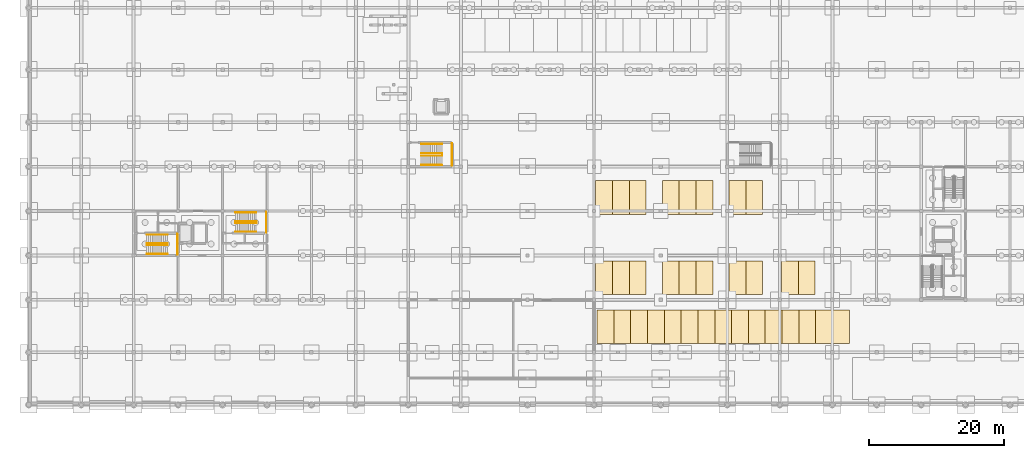
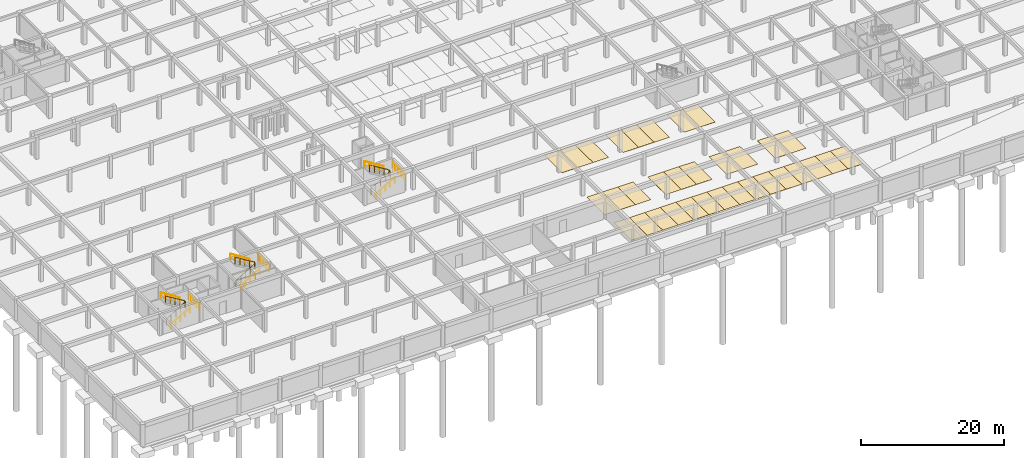
# One storey, part 33 of 37: 33 coverings, 12 railings.
"""IFC4 building model written with IfcOpenShell, lengths in metres."""

from ifc_helpers import new_model, si_unit, direction, frame, origin, origin_2d, place, context, subcontext, project, spatial, polyline, circle, outline, extrude, material, layer, layer_set, type_object, element, save


model = new_model("IFC4")

# Units and contexts
model_context = context("Model", 3, precision=1e-05, world=origin(), true_north=direction((0.0, 1.0)))
body_context = subcontext(model_context, "Body", "Model", "MODEL_VIEW")
ifc_project = project(units=[si_unit("LENGTHUNIT", "METRE"), si_unit("AREAUNIT", "SQUARE_METRE"), si_unit("VOLUMEUNIT", "CUBIC_METRE"), si_unit("PLANEANGLEUNIT", "RADIAN"), si_unit("MASSUNIT", "GRAM", prefix="KILO")], contexts=[model_context])

# Site, building, storey
site_placement = place(None, origin())
site = spatial("IfcSite", under=ifc_project, at=site_placement, CompositionType="ELEMENT")
building_placement = place(site_placement, origin())
building = spatial("IfcBuilding", under=site, at=building_placement, Name="Kernevlak Ridge Housing Community", CompositionType="ELEMENT")
storey_placement = place(building_placement, frame((0.0, 0.0, -3.800048828125)))
storey = spatial("IfcBuildingStorey", under=building, at=storey_placement, Name="B1", CompositionType="ELEMENT", Elevation=-3.800048828125)

# Coverings
ifc_material_1 = material(Name="White road marking paint on concrete", Category="concrete")
ifc_layer = layer(ifc_material_1, 0.010009765625, Name="White road marking paint on concrete")
ifc_layer_set = layer_set([ifc_layer], Name="White road marking paint on concrete")
covering_type = type_object("IfcCoveringType", Name="CV-05", PredefinedType="FLOORING", material=ifc_layer_set)
covering_1_placement = place(storey_placement, origin())
element("IfcCovering", 1, at=covering_1_placement, inside=storey, type_object=covering_type, Name="Parking bay 55", PredefinedType="FLOORING", context=body_context, shape_type="SweptSolid", body=[
    extrude(outline(polyline([(84.4375, 9.10009765625), (86.9375, 9.10009765625), (86.9375, 14.10009765625), (84.4375, 14.10009765625), (84.4375, 9.10009765625)])), origin(), (0.0, 0.0, 1.0), 0.010009765625),
])
covering_2_placement = place(storey_placement, origin())
element("IfcCovering", 2, at=covering_2_placement, inside=storey, type_object=covering_type, Name="Parking bay 56", PredefinedType="FLOORING", context=body_context, shape_type="SweptSolid", body=[
    extrude(outline(polyline([(86.9375, 9.10009765625), (89.4375, 9.10009765625), (89.4375, 14.10009765625), (86.9375, 14.10009765625), (86.9375, 9.10009765625)])), origin(), (0.0, 0.0, 1.0), 0.010009765625),
])
covering_3_placement = place(storey_placement, origin())
element("IfcCovering", 3, at=covering_3_placement, inside=storey, type_object=covering_type, Name="Parking bay 57", PredefinedType="FLOORING", context=body_context, shape_type="SweptSolid", body=[
    extrude(outline(polyline([(89.4375, 9.10009765625), (91.9375, 9.10009765625), (91.9375, 14.10009765625), (89.4375, 14.10009765625), (89.4375, 9.10009765625)])), origin(), (0.0, 0.0, 1.0), 0.010009765625),
])
covering_4_placement = place(storey_placement, origin())
element("IfcCovering", 4, at=covering_4_placement, inside=storey, type_object=covering_type, Name="Parking bay 58", PredefinedType="FLOORING", context=body_context, shape_type="SweptSolid", body=[
    extrude(outline(polyline([(91.9375, 9.10009765625), (94.4375, 9.10009765625), (94.4375, 14.10009765625), (91.9375, 14.10009765625), (91.9375, 9.10009765625)])), origin(), (0.0, 0.0, 1.0), 0.010009765625),
])
covering_5_placement = place(storey_placement, origin())
element("IfcCovering", 5, at=covering_5_placement, inside=storey, type_object=covering_type, Name="Parking bay 59", PredefinedType="FLOORING", context=body_context, shape_type="SweptSolid", body=[
    extrude(outline(polyline([(94.4375, 9.10009765625), (96.9375, 9.10009765625), (96.9375, 14.10009765625), (94.4375, 14.10009765625), (94.4375, 9.10009765625)])), origin(), (0.0, 0.0, 1.0), 0.010009765625),
])
covering_6_placement = place(storey_placement, origin())
element("IfcCovering", 6, at=covering_6_placement, inside=storey, type_object=covering_type, Name="Parking bay 60", PredefinedType="FLOORING", context=body_context, shape_type="SweptSolid", body=[
    extrude(outline(polyline([(96.9375, 9.10009765625), (99.4375, 9.10009765625), (99.4375, 14.10009765625), (96.9375, 14.10009765625), (96.9375, 9.10009765625)])), origin(), (0.0, 0.0, 1.0), 0.010009765625),
])
covering_7_placement = place(storey_placement, origin())
element("IfcCovering", 7, at=covering_7_placement, inside=storey, type_object=covering_type, Name="Parking bay 61", PredefinedType="FLOORING", context=body_context, shape_type="SweptSolid", body=[
    extrude(outline(polyline([(99.4375, 9.10009765625), (101.9375, 9.10009765625), (101.9375, 14.10009765625), (99.4375, 14.10009765625), (99.4375, 9.10009765625)])), origin(), (0.0, 0.0, 1.0), 0.010009765625),
])
covering_8_placement = place(storey_placement, origin())
element("IfcCovering", 8, at=covering_8_placement, inside=storey, type_object=covering_type, Name="Parking bay 62", PredefinedType="FLOORING", context=body_context, shape_type="SweptSolid", body=[
    extrude(outline(polyline([(101.9375, 9.10009765625), (104.4375, 9.10009765625), (104.4375, 14.10009765625), (101.9375, 14.10009765625), (101.9375, 9.10009765625)])), origin(), (0.0, 0.0, 1.0), 0.010009765625),
])
covering_9_placement = place(storey_placement, origin())
element("IfcCovering", 9, at=covering_9_placement, inside=storey, type_object=covering_type, Name="Parking bay 63", PredefinedType="FLOORING", context=body_context, shape_type="SweptSolid", body=[
    extrude(outline(polyline([(104.4375, 9.10009765625), (106.9375, 9.10009765625), (106.9375, 14.10009765625), (104.4375, 14.10009765625), (104.4375, 9.10009765625)])), origin(), (0.0, 0.0, 1.0), 0.010009765625),
])
covering_10_placement = place(storey_placement, origin())
element("IfcCovering", 10, at=covering_10_placement, inside=storey, type_object=covering_type, Name="Parking bay 64", PredefinedType="FLOORING", context=body_context, shape_type="SweptSolid", body=[
    extrude(outline(polyline([(106.9375, 9.10009765625), (109.4375, 9.10009765625), (109.4375, 14.10009765625), (106.9375, 14.10009765625), (106.9375, 9.10009765625)])), origin(), (0.0, 0.0, 1.0), 0.010009765625),
])
covering_11_placement = place(storey_placement, origin())
element("IfcCovering", 11, at=covering_11_placement, inside=storey, type_object=covering_type, Name="Parking bay 65", PredefinedType="FLOORING", context=body_context, shape_type="SweptSolid", body=[
    extrude(outline(polyline([(109.4375, 9.10009765625), (111.9375, 9.10009765625), (111.9375, 14.10009765625), (109.4375, 14.10009765625), (109.4375, 9.10009765625)])), origin(), (0.0, 0.0, 1.0), 0.010009765625),
])
covering_12_placement = place(storey_placement, origin())
element("IfcCovering", 12, at=covering_12_placement, inside=storey, type_object=covering_type, Name="Parking bay 66", PredefinedType="FLOORING", context=body_context, shape_type="SweptSolid", body=[
    extrude(outline(polyline([(111.9375, 9.10009765625), (114.4375, 9.10009765625), (114.4375, 14.10009765625), (111.9375, 14.10009765625), (111.9375, 9.10009765625)])), origin(), (0.0, 0.0, 1.0), 0.010009765625),
])
covering_13_placement = place(storey_placement, origin())
element("IfcCovering", 13, at=covering_13_placement, inside=storey, type_object=covering_type, Name="Parking bay 67", PredefinedType="FLOORING", context=body_context, shape_type="SweptSolid", body=[
    extrude(outline(polyline([(114.4375, 9.10009765625), (116.9375, 9.10009765625), (116.9375, 14.10009765625), (114.4375, 14.10009765625), (114.4375, 9.10009765625)])), origin(), (0.0, 0.0, 1.0), 0.010009765625),
])
covering_14_placement = place(storey_placement, origin())
element("IfcCovering", 14, at=covering_14_placement, inside=storey, type_object=covering_type, Name="Parking bay 68", PredefinedType="FLOORING", context=body_context, shape_type="SweptSolid", body=[
    extrude(outline(polyline([(116.9375, 9.10009765625), (119.4375, 9.10009765625), (119.4375, 14.10009765625), (116.9375, 14.10009765625), (116.9375, 9.10009765625)])), origin(), (0.0, 0.0, 1.0), 0.010009765625),
])
covering_15_placement = place(storey_placement, origin())
element("IfcCovering", 15, at=covering_15_placement, inside=storey, type_object=covering_type, Name="Parking bay 69", PredefinedType="FLOORING", context=body_context, shape_type="SweptSolid", body=[
    extrude(outline(polyline([(119.4375, 9.10009765625), (121.9375, 9.10009765625), (121.9375, 14.10009765625), (119.4375, 14.10009765625), (119.4375, 9.10009765625)])), origin(), (0.0, 0.0, 1.0), 0.010009765625),
])
covering_16_placement = place(storey_placement, origin())
element("IfcCovering", 16, at=covering_16_placement, inside=storey, type_object=covering_type, Name="Parking bay 70", PredefinedType="FLOORING", context=body_context, shape_type="SweptSolid", body=[
    extrude(outline(polyline([(84.25, 16.39990234375), (86.75, 16.39990234375), (86.75, 21.39990234375), (84.25, 21.39990234375), (84.25, 16.39990234375)])), origin(), (0.0, 0.0, 1.0), 0.010009765625),
])
covering_17_placement = place(storey_placement, origin())
element("IfcCovering", 17, at=covering_17_placement, inside=storey, type_object=covering_type, Name="Parking bay 71", PredefinedType="FLOORING", context=body_context, shape_type="SweptSolid", body=[
    extrude(outline(polyline([(86.75, 16.39990234375), (89.25, 16.39990234375), (89.25, 21.39990234375), (86.75, 21.39990234375), (86.75, 16.39990234375)])), origin(), (0.0, 0.0, 1.0), 0.010009765625),
])
covering_18_placement = place(storey_placement, origin())
element("IfcCovering", 18, at=covering_18_placement, inside=storey, type_object=covering_type, Name="Parking bay 72", PredefinedType="FLOORING", context=body_context, shape_type="SweptSolid", body=[
    extrude(outline(polyline([(89.25, 16.39990234375), (91.75, 16.39990234375), (91.75, 21.39990234375), (89.25, 21.39990234375), (89.25, 16.39990234375)])), origin(), (0.0, 0.0, 1.0), 0.010009765625),
])
covering_19_placement = place(storey_placement, origin())
element("IfcCovering", 19, at=covering_19_placement, inside=storey, type_object=covering_type, Name="Parking bay 73", PredefinedType="FLOORING", context=body_context, shape_type="SweptSolid", body=[
    extrude(outline(polyline([(94.14990234375, 16.39990234375), (96.64990234375, 16.39990234375), (96.64990234375, 21.39990234375), (94.14990234375, 21.39990234375), (94.14990234375, 16.39990234375)])), origin(), (0.0, 0.0, 1.0), 0.010009765625),
])
covering_20_placement = place(storey_placement, origin())
element("IfcCovering", 20, at=covering_20_placement, inside=storey, type_object=covering_type, Name="Parking bay 74", PredefinedType="FLOORING", context=body_context, shape_type="SweptSolid", body=[
    extrude(outline(polyline([(96.64990234375, 16.39990234375), (99.14990234375, 16.39990234375), (99.14990234375, 21.39990234375), (96.64990234375, 21.39990234375), (96.64990234375, 16.39990234375)])), origin(), (0.0, 0.0, 1.0), 0.010009765625),
])
covering_21_placement = place(storey_placement, origin())
element("IfcCovering", 21, at=covering_21_placement, inside=storey, type_object=covering_type, Name="Parking bay 75", PredefinedType="FLOORING", context=body_context, shape_type="SweptSolid", body=[
    extrude(outline(polyline([(99.14990234375, 16.39990234375), (101.64990234375, 16.39990234375), (101.64990234375, 21.39990234375), (99.14990234375, 21.39990234375), (99.14990234375, 16.39990234375)])), origin(), (0.0, 0.0, 1.0), 0.010009765625),
])
covering_22_placement = place(storey_placement, origin())
element("IfcCovering", 22, at=covering_22_placement, inside=storey, type_object=covering_type, Name="Parking bay 76", PredefinedType="FLOORING", context=body_context, shape_type="SweptSolid", body=[
    extrude(outline(polyline([(104.050048828125, 16.39990234375), (106.550048828125, 16.39990234375), (106.550048828125, 21.39990234375), (104.050048828125, 21.39990234375), (104.050048828125, 16.39990234375)])), origin(), (0.0, 0.0, 1.0), 0.010009765625),
])
covering_23_placement = place(storey_placement, origin())
element("IfcCovering", 23, at=covering_23_placement, inside=storey, type_object=covering_type, Name="Parking bay 77", PredefinedType="FLOORING", context=body_context, shape_type="SweptSolid", body=[
    extrude(outline(polyline([(106.550048828125, 16.39990234375), (109.050048828125, 16.39990234375), (109.050048828125, 21.39990234375), (106.550048828125, 21.39990234375), (106.550048828125, 16.39990234375)])), origin(), (0.0, 0.0, 1.0), 0.010009765625),
])
covering_24_placement = place(storey_placement, origin())
element("IfcCovering", 24, at=covering_24_placement, inside=storey, type_object=covering_type, Name="Parking bay 78", PredefinedType="FLOORING", context=body_context, shape_type="SweptSolid", body=[
    extrude(outline(polyline([(111.85009765625, 16.39990234375), (114.35009765625, 16.39990234375), (114.35009765625, 21.39990234375), (111.85009765625, 21.39990234375), (111.85009765625, 16.39990234375)])), origin(), (0.0, 0.0, 1.0), 0.010009765625),
])
covering_25_placement = place(storey_placement, origin())
element("IfcCovering", 25, at=covering_25_placement, inside=storey, type_object=covering_type, Name="Parking bay 79", PredefinedType="FLOORING", context=body_context, shape_type="SweptSolid", body=[
    extrude(outline(polyline([(114.35009765625, 16.39990234375), (116.85009765625, 16.39990234375), (116.85009765625, 21.39990234375), (114.35009765625, 21.39990234375), (114.35009765625, 16.39990234375)])), origin(), (0.0, 0.0, 1.0), 0.010009765625),
])
covering_26_placement = place(storey_placement, origin())
element("IfcCovering", 26, at=covering_26_placement, inside=storey, type_object=covering_type, Name="Parking bay 81", PredefinedType="FLOORING", context=body_context, shape_type="SweptSolid", body=[
    extrude(outline(polyline([(84.25, 28.300048828125), (86.75, 28.300048828125), (86.75, 33.300048828125), (84.25, 33.300048828125), (84.25, 28.300048828125)])), origin(), (0.0, 0.0, 1.0), 0.010009765625),
])
covering_27_placement = place(storey_placement, origin())
element("IfcCovering", 27, at=covering_27_placement, inside=storey, type_object=covering_type, Name="Parking bay 82", PredefinedType="FLOORING", context=body_context, shape_type="SweptSolid", body=[
    extrude(outline(polyline([(86.75, 28.300048828125), (89.25, 28.300048828125), (89.25, 33.300048828125), (86.75, 33.300048828125), (86.75, 28.300048828125)])), origin(), (0.0, 0.0, 1.0), 0.010009765625),
])
covering_28_placement = place(storey_placement, origin())
element("IfcCovering", 28, at=covering_28_placement, inside=storey, type_object=covering_type, Name="Parking bay 83", PredefinedType="FLOORING", context=body_context, shape_type="SweptSolid", body=[
    extrude(outline(polyline([(89.25, 28.300048828125), (91.75, 28.300048828125), (91.75, 33.300048828125), (89.25, 33.300048828125), (89.25, 28.300048828125)])), origin(), (0.0, 0.0, 1.0), 0.010009765625),
])
covering_29_placement = place(storey_placement, origin())
element("IfcCovering", 29, at=covering_29_placement, inside=storey, type_object=covering_type, Name="Parking bay 84", PredefinedType="FLOORING", context=body_context, shape_type="SweptSolid", body=[
    extrude(outline(polyline([(94.14990234375, 28.300048828125), (96.64990234375, 28.300048828125), (96.64990234375, 33.300048828125), (94.14990234375, 33.300048828125), (94.14990234375, 28.300048828125)])), origin(), (0.0, 0.0, 1.0), 0.010009765625),
])
covering_30_placement = place(storey_placement, origin())
element("IfcCovering", 30, at=covering_30_placement, inside=storey, type_object=covering_type, Name="Parking bay 85", PredefinedType="FLOORING", context=body_context, shape_type="SweptSolid", body=[
    extrude(outline(polyline([(96.64990234375, 28.300048828125), (99.14990234375, 28.300048828125), (99.14990234375, 33.300048828125), (96.64990234375, 33.300048828125), (96.64990234375, 28.300048828125)])), origin(), (0.0, 0.0, 1.0), 0.010009765625),
])
covering_31_placement = place(storey_placement, origin())
element("IfcCovering", 31, at=covering_31_placement, inside=storey, type_object=covering_type, Name="Parking bay 86", PredefinedType="FLOORING", context=body_context, shape_type="SweptSolid", body=[
    extrude(outline(polyline([(99.14990234375, 28.300048828125), (101.64990234375, 28.300048828125), (101.64990234375, 33.300048828125), (99.14990234375, 33.300048828125), (99.14990234375, 28.300048828125)])), origin(), (0.0, 0.0, 1.0), 0.010009765625),
])
covering_32_placement = place(storey_placement, origin())
element("IfcCovering", 32, at=covering_32_placement, inside=storey, type_object=covering_type, Name="Parking bay 87", PredefinedType="FLOORING", context=body_context, shape_type="SweptSolid", body=[
    extrude(outline(polyline([(104.050048828125, 28.300048828125), (106.550048828125, 28.300048828125), (106.550048828125, 33.300048828125), (104.050048828125, 33.300048828125), (104.050048828125, 28.300048828125)])), origin(), (0.0, 0.0, 1.0), 0.010009765625),
])
covering_33_placement = place(storey_placement, origin())
element("IfcCovering", 33, at=covering_33_placement, inside=storey, type_object=covering_type, Name="Parking bay 88", PredefinedType="FLOORING", context=body_context, shape_type="SweptSolid", body=[
    extrude(outline(polyline([(106.550048828125, 28.300048828125), (109.050048828125, 28.300048828125), (109.050048828125, 33.300048828125), (106.550048828125, 33.300048828125), (106.550048828125, 28.300048828125)])), origin(), (0.0, 0.0, 1.0), 0.010009765625),
])

# Railings
ifc_material_2 = material(Name="Steel S355", Category="steel")
railing_type_1 = type_object("IfcRailingType", Name="GR-02", PredefinedType="GUARDRAIL", material=ifc_material_2)
railing_1_placement = place(storey_placement, frame((17.52001953125, 23.719970703125, 0.0)))
element("IfcRailing", 34, at=railing_1_placement, inside=storey, type_object=railing_type_1, Name="Stair ST-D1 B1 inner well guardrail", PredefinedType="GUARDRAIL", context=body_context, shape_type="SweptSolid", body=[
    extrude(circle(Radius=0.02392578125, at=origin_2d()), frame((0.0, 0.0, 1.09619140625), z_axis=(0.854065598125, 0.0, 0.520165314203), x_axis=(0.0, 1.0, 0.0)), (0.0, 0.0, 1.0), 3.653076171875),
    extrude(circle(Radius=0.02392578125, at=origin_2d()), frame((3.119873046875, 0.0, 2.99609375), z_axis=(0.0, 1.0, 0.0), x_axis=(-1.0, 0.0, 0.0)), (0.0, 0.0, 1.0), 0.260009765625),
    extrude(circle(Radius=0.02392578125, at=origin_2d()), frame((3.119873046875, 0.260009765625, 2.99609375), z_axis=(-0.854095288912, 0.0, 0.520116561415), x_axis=(0.0, -1.0, 0.0)), (0.0, 0.0, 1.0), 3.65283203125),
    extrude(circle(Radius=0.02099609375, at=origin_2d()), origin(), (0.0, 0.0, 1.0), 1.072021484375),
    extrude(circle(Radius=0.02099609375, at=origin_2d()), frame((0.780029296875, 0.0, 0.47509765625)), (0.0, 0.0, 1.0), 1.072021484375),
    extrude(circle(Radius=0.02099609375, at=origin_2d()), frame((1.56005859375, 0.0, 0.9501953125)), (0.0, 0.0, 1.0), 1.072021484375),
    extrude(circle(Radius=0.02099609375, at=origin_2d()), frame((2.33984375, 0.0, 1.425048828125)), (0.0, 0.0, 1.0), 1.072021484375),
    extrude(circle(Radius=0.02099609375, at=origin_2d()), frame((3.119873046875, 0.0, 1.900146484375)), (0.0, 0.0, 1.0), 1.072021484375),
    extrude(circle(Radius=0.02099609375, at=origin_2d()), frame((3.119873046875, 0.260009765625, 1.900146484375)), (0.0, 0.0, 1.0), 1.072021484375),
    extrude(circle(Radius=0.02099609375, at=origin_2d()), frame((2.33984375, 0.260009765625, 2.375)), (0.0, 0.0, 1.0), 1.072021484375),
    extrude(circle(Radius=0.02099609375, at=origin_2d()), frame((1.56005859375, 0.260009765625, 2.85009765625)), (0.0, 0.0, 1.0), 1.072021484375),
    extrude(circle(Radius=0.02099609375, at=origin_2d()), frame((0.780029296875, 0.260009765625, 3.3251953125)), (0.0, 0.0, 1.0), 1.072021484375),
    extrude(circle(Radius=0.02099609375, at=origin_2d()), frame((0.0, 0.260009765625, 3.800048828125)), (0.0, 0.0, 1.0), 1.072021484375),
])
railing_2_placement = place(storey_placement, frame((22.080078125, 22.320068359375, 1.900146484375)))
element("IfcRailing", 35, at=railing_2_placement, inside=storey, type_object=railing_type_1, Name="Stair ST-D1 B1 half-landing guard", PredefinedType="GUARDRAIL", context=body_context, shape_type="SweptSolid", body=[
    extrude(circle(Radius=0.02392578125, at=origin_2d()), frame((0.0, 0.0, 1.09619140625), z_axis=(0.0, 1.0, 0.0), x_axis=(-1.0, 0.0, 0.0)), (0.0, 0.0, 1.0), 3.059814453125),
    extrude(circle(Radius=0.02099609375, at=origin_2d()), origin(), (0.0, 0.0, 1.0), 1.072021484375),
    extrude(circle(Radius=0.02099609375, at=origin_2d()), frame((0.0, 0.764892578125, 0.0)), (0.0, 0.0, 1.0), 1.072021484375),
    extrude(circle(Radius=0.02099609375, at=origin_2d()), frame((0.0, 1.52978515625, 0.0)), (0.0, 0.0, 1.0), 1.072021484375),
    extrude(circle(Radius=0.02099609375, at=origin_2d()), frame((0.0, 2.294921875, 0.0)), (0.0, 0.0, 1.0), 1.072021484375),
    extrude(circle(Radius=0.02099609375, at=origin_2d()), frame((0.0, 3.059814453125, 0.0)), (0.0, 0.0, 1.0), 1.072021484375),
])
railing_3_placement = place(storey_placement, frame((30.719970703125, 27.02001953125, 0.0)))
element("IfcRailing", 36, at=railing_3_placement, inside=storey, type_object=railing_type_1, Name="Stair ST-D2 B1 inner well guardrail", PredefinedType="GUARDRAIL", context=body_context, shape_type="SweptSolid", body=[
    extrude(circle(Radius=0.02392578125, at=origin_2d()), frame((0.0, 0.0, 1.09619140625), z_axis=(0.854083679853, 0.0, 0.520135624437), x_axis=(0.0, 1.0, 0.0)), (0.0, 0.0, 1.0), 3.653076171875),
    extrude(circle(Radius=0.02392578125, at=origin_2d()), frame((3.1201171875, 0.0, 2.99609375), z_axis=(0.0, 1.0, 0.0), x_axis=(-1.0, 0.0, 0.0)), (0.0, 0.0, 1.0), 0.260009765625),
    extrude(circle(Radius=0.02392578125, at=origin_2d()), frame((3.1201171875, 0.260009765625, 2.99609375), z_axis=(-0.85411336788, 0.0, 0.520086872367), x_axis=(0.0, -1.0, 0.0)), (0.0, 0.0, 1.0), 3.653076171875),
    extrude(circle(Radius=0.02099609375, at=origin_2d()), origin(), (0.0, 0.0, 1.0), 1.072021484375),
    extrude(circle(Radius=0.02099609375, at=origin_2d()), frame((0.780029296875, 0.0, 0.47509765625)), (0.0, 0.0, 1.0), 1.072021484375),
    extrude(circle(Radius=0.02099609375, at=origin_2d()), frame((1.56005859375, 0.0, 0.9501953125)), (0.0, 0.0, 1.0), 1.072021484375),
    extrude(circle(Radius=0.02099609375, at=origin_2d()), frame((2.340087890625, 0.0, 1.425048828125)), (0.0, 0.0, 1.0), 1.072021484375),
    extrude(circle(Radius=0.02099609375, at=origin_2d()), frame((3.1201171875, 0.0, 1.900146484375)), (0.0, 0.0, 1.0), 1.072021484375),
    extrude(circle(Radius=0.02099609375, at=origin_2d()), frame((3.1201171875, 0.260009765625, 1.900146484375)), (0.0, 0.0, 1.0), 1.072021484375),
    extrude(circle(Radius=0.02099609375, at=origin_2d()), frame((2.340087890625, 0.260009765625, 2.375)), (0.0, 0.0, 1.0), 1.072021484375),
    extrude(circle(Radius=0.02099609375, at=origin_2d()), frame((1.56005859375, 0.260009765625, 2.85009765625)), (0.0, 0.0, 1.0), 1.072021484375),
    extrude(circle(Radius=0.02099609375, at=origin_2d()), frame((0.780029296875, 0.260009765625, 3.3251953125)), (0.0, 0.0, 1.0), 1.072021484375),
    extrude(circle(Radius=0.02099609375, at=origin_2d()), frame((0.0, 0.260009765625, 3.800048828125)), (0.0, 0.0, 1.0), 1.072021484375),
])
railing_4_placement = place(storey_placement, frame((35.280029296875, 25.6201171875, 1.900146484375)))
element("IfcRailing", 37, at=railing_4_placement, inside=storey, type_object=railing_type_1, Name="Stair ST-D2 B1 half-landing guard", PredefinedType="GUARDRAIL", context=body_context, shape_type="SweptSolid", body=[
    extrude(circle(Radius=0.02392578125, at=origin_2d()), frame((0.0, 0.0, 1.09619140625), z_axis=(0.0, 1.0, 0.0), x_axis=(-1.0, 0.0, 0.0)), (0.0, 0.0, 1.0), 3.059814453125),
    extrude(circle(Radius=0.02099609375, at=origin_2d()), origin(), (0.0, 0.0, 1.0), 1.072021484375),
    extrude(circle(Radius=0.02099609375, at=origin_2d()), frame((0.0, 0.764892578125, 0.0)), (0.0, 0.0, 1.0), 1.072021484375),
    extrude(circle(Radius=0.02099609375, at=origin_2d()), frame((0.0, 1.52978515625, 0.0)), (0.0, 0.0, 1.0), 1.072021484375),
    extrude(circle(Radius=0.02099609375, at=origin_2d()), frame((0.0, 2.294921875, 0.0)), (0.0, 0.0, 1.0), 1.072021484375),
    extrude(circle(Radius=0.02099609375, at=origin_2d()), frame((0.0, 3.059814453125, 0.0)), (0.0, 0.0, 1.0), 1.072021484375),
])
railing_5_placement = place(storey_placement, frame((58.320068359375, 37.02001953125, 0.0)))
element("IfcRailing", 38, at=railing_5_placement, inside=storey, type_object=railing_type_1, Name="Stair ST-P1 B1 inner well guardrail", PredefinedType="GUARDRAIL", context=body_context, shape_type="SweptSolid", body=[
    extrude(circle(Radius=0.02392578125, at=origin_2d()), frame((0.0, 0.0, 1.09619140625), z_axis=(0.854065598125, 0.0, 0.520165314203), x_axis=(0.0, 1.0, 0.0)), (0.0, 0.0, 1.0), 3.653076171875),
    extrude(circle(Radius=0.02392578125, at=origin_2d()), frame((3.119873046875, 0.0, 2.99609375), z_axis=(0.0, 1.0, 0.0), x_axis=(-1.0, 0.0, 0.0)), (0.0, 0.0, 1.0), 0.35986328125),
    extrude(circle(Radius=0.02392578125, at=origin_2d()), frame((3.119873046875, 0.35986328125, 2.99609375), z_axis=(-0.854095288912, 0.0, 0.520116561415), x_axis=(0.0, -1.0, 0.0)), (0.0, 0.0, 1.0), 3.65283203125),
    extrude(circle(Radius=0.02099609375, at=origin_2d()), origin(), (0.0, 0.0, 1.0), 1.072021484375),
    extrude(circle(Radius=0.02099609375, at=origin_2d()), frame((0.780029296875, 0.0, 0.47509765625)), (0.0, 0.0, 1.0), 1.072021484375),
    extrude(circle(Radius=0.02099609375, at=origin_2d()), frame((1.56005859375, 0.0, 0.9501953125)), (0.0, 0.0, 1.0), 1.072021484375),
    extrude(circle(Radius=0.02099609375, at=origin_2d()), frame((2.33984375, 0.0, 1.425048828125)), (0.0, 0.0, 1.0), 1.072021484375),
    extrude(circle(Radius=0.02099609375, at=origin_2d()), frame((3.119873046875, 0.0, 1.900146484375)), (0.0, 0.0, 1.0), 1.072021484375),
    extrude(circle(Radius=0.02099609375, at=origin_2d()), frame((3.119873046875, 0.35986328125, 1.900146484375)), (0.0, 0.0, 1.0), 1.072021484375),
    extrude(circle(Radius=0.02099609375, at=origin_2d()), frame((2.33984375, 0.35986328125, 2.375)), (0.0, 0.0, 1.0), 1.072021484375),
    extrude(circle(Radius=0.02099609375, at=origin_2d()), frame((1.56005859375, 0.35986328125, 2.85009765625)), (0.0, 0.0, 1.0), 1.072021484375),
    extrude(circle(Radius=0.02099609375, at=origin_2d()), frame((0.780029296875, 0.35986328125, 3.3251953125)), (0.0, 0.0, 1.0), 1.072021484375),
    extrude(circle(Radius=0.02099609375, at=origin_2d()), frame((0.0, 0.35986328125, 3.800048828125)), (0.0, 0.0, 1.0), 1.072021484375),
])
railing_6_placement = place(storey_placement, frame((62.8798828125, 35.52001953125, 1.900146484375)))
element("IfcRailing", 39, at=railing_6_placement, inside=storey, type_object=railing_type_1, Name="Stair ST-P1 B1 half-landing guard", PredefinedType="GUARDRAIL", context=body_context, shape_type="SweptSolid", body=[
    extrude(circle(Radius=0.02392578125, at=origin_2d()), frame((0.0, 0.0, 1.09619140625), z_axis=(0.0, 1.0, 0.0), x_axis=(-1.0, 0.0, 0.0)), (0.0, 0.0, 1.0), 3.35986328125),
    extrude(circle(Radius=0.02099609375, at=origin_2d()), origin(), (0.0, 0.0, 1.0), 1.072021484375),
    extrude(circle(Radius=0.02099609375, at=origin_2d()), frame((0.0, 0.83984375, 0.0)), (0.0, 0.0, 1.0), 1.072021484375),
    extrude(circle(Radius=0.02099609375, at=origin_2d()), frame((0.0, 1.679931640625, 0.0)), (0.0, 0.0, 1.0), 1.072021484375),
    extrude(circle(Radius=0.02099609375, at=origin_2d()), frame((0.0, 2.52001953125, 0.0)), (0.0, 0.0, 1.0), 1.072021484375),
    extrude(circle(Radius=0.02099609375, at=origin_2d()), frame((0.0, 3.35986328125, 0.0)), (0.0, 0.0, 1.0), 1.072021484375),
])
ifc_material_3 = material(Name="Stainless steel EN 1.4401", Category="steel")
railing_type_2 = type_object("IfcRailingType", Name="HR-01", PredefinedType="HANDRAIL", material=ifc_material_3)
railing_7_placement = place(storey_placement, frame((17.52001953125, 22.419921875, 0.158447265625)))
element("IfcRailing", 40, at=railing_7_placement, inside=storey, type_object=railing_type_2, Name="Stair ST-D1 B1 flight 1 handrail", PredefinedType="HANDRAIL", context=body_context, shape_type="SweptSolid", body=[
    extrude(circle(Radius=0.02392578125, at=origin_2d()), frame((0.0, 0.0, 0.89599609375), z_axis=(0.870467729004, 0.0, 0.492225489752), x_axis=(0.0, 1.0, 0.0)), (0.0, 0.0, 1.0), 3.538330078125),
    extrude(circle(Radius=0.02099609375, at=origin_2d()), origin(), (0.0, 0.0, 1.0), 0.871826171875),
    extrude(circle(Radius=0.02099609375, at=origin_2d()), frame((0.77001953125, 0.0, 0.435546875)), (0.0, 0.0, 1.0), 0.871826171875),
    extrude(circle(Radius=0.02099609375, at=origin_2d()), frame((1.5400390625, 0.0, 0.870849609375)), (0.0, 0.0, 1.0), 0.871826171875),
    extrude(circle(Radius=0.02099609375, at=origin_2d()), frame((2.31005859375, 0.0, 1.30615234375)), (0.0, 0.0, 1.0), 0.871826171875),
    extrude(circle(Radius=0.02099609375, at=origin_2d()), frame((3.080078125, 0.0, 1.74169921875)), (0.0, 0.0, 1.0), 0.871826171875),
])
railing_8_placement = place(storey_placement, frame((20.60009765625, 25.280029296875, 1.900146484375)))
element("IfcRailing", 41, at=railing_8_placement, inside=storey, type_object=railing_type_2, Name="Stair ST-D1 B1 flight 2 handrail", PredefinedType="HANDRAIL", context=body_context, shape_type="SweptSolid", body=[
    extrude(circle(Radius=0.02392578125, at=origin_2d()), frame((0.0, 0.0, 0.89599609375), z_axis=(-0.851106564228, 0.0, 0.524992967884), x_axis=(0.0, -1.0, 0.0)), (0.0, 0.0, 1.0), 3.618896484375),
    extrude(circle(Radius=0.02099609375, at=origin_2d()), origin(), (0.0, 0.0, 1.0), 0.871826171875),
    extrude(circle(Radius=0.02099609375, at=origin_2d()), frame((-0.77001953125, 0.0, 0.47509765625)), (0.0, 0.0, 1.0), 0.871826171875),
    extrude(circle(Radius=0.02099609375, at=origin_2d()), frame((-1.5400390625, 0.0, 0.949951171875)), (0.0, 0.0, 1.0), 0.871826171875),
    extrude(circle(Radius=0.02099609375, at=origin_2d()), frame((-2.31005859375, 0.0, 1.4248046875)), (0.0, 0.0, 1.0), 0.871826171875),
    extrude(circle(Radius=0.02099609375, at=origin_2d()), frame((-3.080078125, 0.0, 1.89990234375)), (0.0, 0.0, 1.0), 0.871826171875),
])
railing_9_placement = place(storey_placement, frame((30.719970703125, 25.719970703125, 0.158447265625)))
element("IfcRailing", 42, at=railing_9_placement, inside=storey, type_object=railing_type_2, Name="Stair ST-D2 B1 flight 1 handrail", PredefinedType="HANDRAIL", context=body_context, shape_type="SweptSolid", body=[
    extrude(circle(Radius=0.02392578125, at=origin_2d()), frame((0.0, 0.0, 0.89599609375), z_axis=(0.870467729004, 0.0, 0.492225489752), x_axis=(0.0, 1.0, 0.0)), (0.0, 0.0, 1.0), 3.538330078125),
    extrude(circle(Radius=0.02099609375, at=origin_2d()), origin(), (0.0, 0.0, 1.0), 0.871826171875),
    extrude(circle(Radius=0.02099609375, at=origin_2d()), frame((0.77001953125, 0.0, 0.435546875)), (0.0, 0.0, 1.0), 0.871826171875),
    extrude(circle(Radius=0.02099609375, at=origin_2d()), frame((1.5400390625, 0.0, 0.870849609375)), (0.0, 0.0, 1.0), 0.871826171875),
    extrude(circle(Radius=0.02099609375, at=origin_2d()), frame((2.31005859375, 0.0, 1.30615234375)), (0.0, 0.0, 1.0), 0.871826171875),
    extrude(circle(Radius=0.02099609375, at=origin_2d()), frame((3.080078125, 0.0, 1.74169921875)), (0.0, 0.0, 1.0), 0.871826171875),
])
railing_10_placement = place(storey_placement, frame((33.800048828125, 28.580078125, 1.900146484375)))
element("IfcRailing", 43, at=railing_10_placement, inside=storey, type_object=railing_type_2, Name="Stair ST-D2 B1 flight 2 handrail", PredefinedType="HANDRAIL", context=body_context, shape_type="SweptSolid", body=[
    extrude(circle(Radius=0.02392578125, at=origin_2d()), frame((0.0, 0.0, 0.89599609375), z_axis=(-0.851106564228, 0.0, 0.524992967884), x_axis=(0.0, -1.0, 0.0)), (0.0, 0.0, 1.0), 3.618896484375),
    extrude(circle(Radius=0.02099609375, at=origin_2d()), origin(), (0.0, 0.0, 1.0), 0.871826171875),
    extrude(circle(Radius=0.02099609375, at=origin_2d()), frame((-0.77001953125, 0.0, 0.47509765625)), (0.0, 0.0, 1.0), 0.871826171875),
    extrude(circle(Radius=0.02099609375, at=origin_2d()), frame((-1.5400390625, 0.0, 0.949951171875)), (0.0, 0.0, 1.0), 0.871826171875),
    extrude(circle(Radius=0.02099609375, at=origin_2d()), frame((-2.31005859375, 0.0, 1.4248046875)), (0.0, 0.0, 1.0), 0.871826171875),
    extrude(circle(Radius=0.02099609375, at=origin_2d()), frame((-3.080078125, 0.0, 1.89990234375)), (0.0, 0.0, 1.0), 0.871826171875),
])
railing_11_placement = place(storey_placement, frame((58.320068359375, 35.6201171875, 0.158447265625)))
element("IfcRailing", 44, at=railing_11_placement, inside=storey, type_object=railing_type_2, Name="Stair ST-P1 B1 flight 1 handrail", PredefinedType="HANDRAIL", context=body_context, shape_type="SweptSolid", body=[
    extrude(circle(Radius=0.02392578125, at=origin_2d()), frame((0.0, 0.0, 0.89599609375), z_axis=(0.870451010465, 0.0, 0.492255054194), x_axis=(0.0, 1.0, 0.0)), (0.0, 0.0, 1.0), 3.5380859375),
    extrude(circle(Radius=0.02099609375, at=origin_2d()), origin(), (0.0, 0.0, 1.0), 0.871826171875),
    extrude(circle(Radius=0.02099609375, at=origin_2d()), frame((0.77001953125, 0.0, 0.435546875)), (0.0, 0.0, 1.0), 0.871826171875),
    extrude(circle(Radius=0.02099609375, at=origin_2d()), frame((1.5400390625, 0.0, 0.870849609375)), (0.0, 0.0, 1.0), 0.871826171875),
    extrude(circle(Radius=0.02099609375, at=origin_2d()), frame((2.309814453125, 0.0, 1.30615234375)), (0.0, 0.0, 1.0), 0.871826171875),
    extrude(circle(Radius=0.02099609375, at=origin_2d()), frame((3.079833984375, 0.0, 1.74169921875)), (0.0, 0.0, 1.0), 0.871826171875),
])
railing_12_placement = place(storey_placement, frame((61.39990234375, 38.780029296875, 1.900146484375)))
element("IfcRailing", 45, at=railing_12_placement, inside=storey, type_object=railing_type_2, Name="Stair ST-P1 B1 flight 2 handrail", PredefinedType="HANDRAIL", context=body_context, shape_type="SweptSolid", body=[
    extrude(circle(Radius=0.02392578125, at=origin_2d()), frame((0.0, 0.0, 0.89599609375), z_axis=(-0.851087968781, 0.0, 0.525023113203), x_axis=(0.0, -1.0, 0.0)), (0.0, 0.0, 1.0), 3.61865234375),
    extrude(circle(Radius=0.02099609375, at=origin_2d()), origin(), (0.0, 0.0, 1.0), 0.871826171875),
    extrude(circle(Radius=0.02099609375, at=origin_2d()), frame((-0.77001953125, 0.0, 0.47509765625)), (0.0, 0.0, 1.0), 0.871826171875),
    extrude(circle(Radius=0.02099609375, at=origin_2d()), frame((-1.5400390625, 0.0, 0.949951171875)), (0.0, 0.0, 1.0), 0.871826171875),
    extrude(circle(Radius=0.02099609375, at=origin_2d()), frame((-2.309814453125, 0.0, 1.4248046875)), (0.0, 0.0, 1.0), 0.871826171875),
    extrude(circle(Radius=0.02099609375, at=origin_2d()), frame((-3.079833984375, 0.0, 1.89990234375)), (0.0, 0.0, 1.0), 0.871826171875),
])

save(model, "model.ifc")
